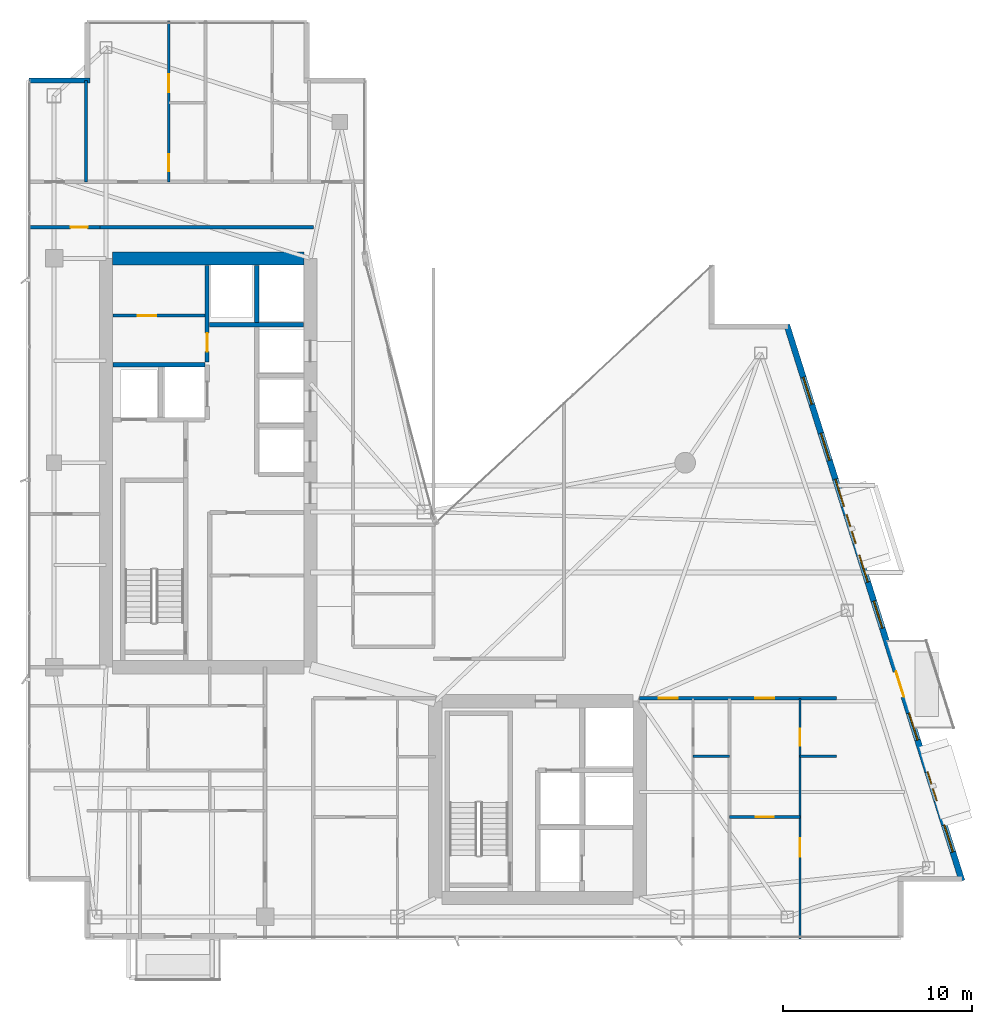
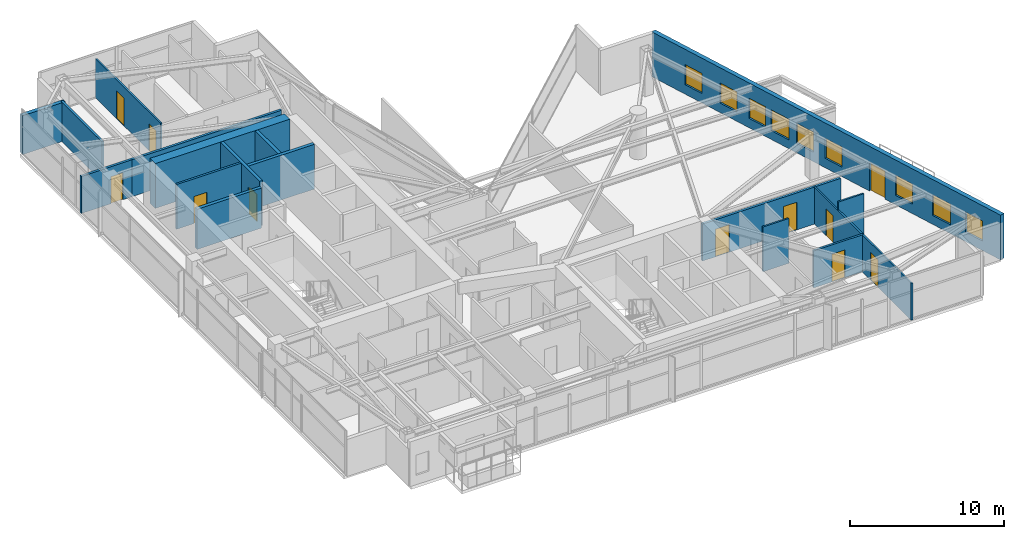
# One storey, part 24 of 27: 17 walls, 11 doors, 9 windows, 20 openings.
"""IFC4 building model written with IfcOpenShell, lengths in metres."""

import ifcopenshell
import ifcopenshell.guid

model = None  # the IFC model being written
_history = None  # IfcOwnerHistory: only IFC2X3 demands one
_inside = {}  # id of a spatial element -> (the spatial element, [elements in it])
_under = {}  # id of a project, library or spatial element -> (it, [spatial elements below it])
_declared = {}  # id of a project -> (the project, [libraries it declares])
_typed = {}  # id of a type object -> (the type object, [elements of that type])
_made_of = {}  # id of a material, layer set ... -> (it, [elements and type objects made of it])


def new_model(schema):
    """Start an empty IFC model of exactly this schema.

    Asked for "IFC4X3", IfcOpenShell would pick the latest addendum, in which some entities
    have other attributes; the version numbers below select the first issue.
    IFC2X3 requires an IfcOwnerHistory on every rooted entity: one is made here for all.
    """
    global model, _history
    if schema == "IFC4X3":
        model = ifcopenshell.file(schema_version=(4, 3, 0, 0))
    else:
        model = ifcopenshell.file(schema=schema)
    _inside.clear()
    _under.clear()
    _declared.clear()
    _typed.clear()
    _made_of.clear()
    _history = None
    if model.schema == "IFC2X3":
        org = make("IfcOrganization", Name="unknown")
        user = make(
            "IfcPersonAndOrganization",
            ThePerson=make("IfcPerson", FamilyName="unknown"),
            TheOrganization=org,
        )
        app = make(
            "IfcApplication",
            ApplicationDeveloper=org,
            Version="unknown",
            ApplicationFullName="unknown",
            ApplicationIdentifier="unknown",
        )
        _history = make(
            "IfcOwnerHistory",
            OwningUser=user,
            OwningApplication=app,
            ChangeAction="ADDED",
            CreationDate=0,
        )
    return model


def make(cls, **values):
    """One entity of the class cls with the attributes given. An attribute that is None is left unset."""
    return model.create_entity(
        cls, **{name: value for name, value in values.items() if value is not None}
    )


def rooted(cls, **values):
    """An entity with a GlobalId (a new one), such as an element, a storey or a relation."""
    return make(cls, GlobalId=ifcopenshell.guid.new(), OwnerHistory=_history, **values)


def si_unit(unit_type, name, prefix=None):
    """IfcSIUnit, for example si_unit("LENGTHUNIT", "METRE", prefix="MILLI")."""
    return make("IfcSIUnit", UnitType=unit_type, Prefix=prefix, Name=name)


def assignment(units):
    """IfcUnitAssignment: the units of a project."""
    return None if units is None else make("IfcUnitAssignment", Units=units)


def point(xyz):
    """IfcCartesianPoint."""
    return None if xyz is None else make("IfcCartesianPoint", Coordinates=xyz)


def direction(xyz):
    """IfcDirection."""
    return None if xyz is None else make("IfcDirection", DirectionRatios=xyz)


def frame(location, z_axis=None, x_axis=None):
    """IfcAxis2Placement3D, a coordinate frame: its origin and axes. An axis left out is left unset."""
    return make(
        "IfcAxis2Placement3D",
        Location=point(location),
        Axis=direction(z_axis),
        RefDirection=direction(x_axis),
    )


def frame_2d(location, x_axis=None):
    """IfcAxis2Placement2D, a coordinate frame in the plane: its origin and x axis."""
    return make(
        "IfcAxis2Placement2D", Location=point(location), RefDirection=direction(x_axis)
    )


def origin():
    """The frame at (0, 0, 0) with its axes left unset."""
    return frame((0.0, 0.0, 0.0))


def place(relative_to, where):
    """IfcLocalPlacement: puts the frame where relative to a parent placement (None: the world)."""
    return make(
        "IfcLocalPlacement", PlacementRelTo=relative_to, RelativePlacement=where
    )


def context(
    kind, dimensions, precision=None, world=None, true_north=None, identifier=None
):
    """IfcGeometricRepresentationContext, for example the 3D "Model" context."""
    return make(
        "IfcGeometricRepresentationContext",
        ContextIdentifier=identifier,
        ContextType=kind,
        CoordinateSpaceDimension=dimensions,
        Precision=precision,
        WorldCoordinateSystem=world,
        TrueNorth=true_north,
    )


def subcontext(parent, identifier, kind, view, scale=None):
    """IfcGeometricRepresentationSubContext, for example "Body" below "Model"."""
    return make(
        "IfcGeometricRepresentationSubContext",
        ContextIdentifier=identifier,
        ContextType=kind,
        ParentContext=parent,
        TargetScale=scale,
        TargetView=view,
    )


def project(units=None, contexts=None):
    """IfcProject with its units and contexts."""
    return rooted(
        "IfcProject",
        Name="project",
        RepresentationContexts=contexts,
        UnitsInContext=assignment(units),
    )


def spatial(cls, under=None, at=None, **own):
    """A site, building, storey or space (cls), placed at a placement, below another one or the project."""
    s = rooted(cls, ObjectPlacement=at, **own)
    if under is not None:
        _under.setdefault(under.id(), (under, []))[1].append(s)
    return s


def profile(cls, at=None, kind="AREA", **sizes):
    """A parametric profile (cls). Its sizes go by their IFC names, for example OverallWidth=200.0."""
    return make(cls, ProfileType=kind, Position=at, **sizes)


def rectangle(**sizes):
    """IfcRectangleProfileDef."""
    return profile("IfcRectangleProfileDef", **sizes)


def extrude(swept, where, along, depth):
    """IfcExtrudedAreaSolid: the profile swept, set in the frame where, extruded along a direction by depth."""
    return make(
        "IfcExtrudedAreaSolid",
        SweptArea=swept,
        Position=where,
        ExtrudedDirection=direction(along),
        Depth=depth,
    )


def shape(context_of_items, identifier, shape_type, items):
    """IfcShapeRepresentation: the items that make up one representation, for example the "Body"."""
    return make(
        "IfcShapeRepresentation",
        ContextOfItems=context_of_items,
        RepresentationIdentifier=identifier,
        RepresentationType=shape_type,
        Items=items,
    )


def material(Name=None, Category=None):
    """IfcMaterial."""
    return make("IfcMaterial", Name=Name, Category=Category)


def layer(
    of_material, thickness, ventilated=None, Name=None, Category=None, Priority=None
):
    """IfcMaterialLayer: one layer of a wall or slab, of a material (None: an air gap)."""
    return make(
        "IfcMaterialLayer",
        Material=of_material,
        LayerThickness=thickness,
        IsVentilated=ventilated,
        Name=Name,
        Category=Category,
        Priority=Priority,
    )


def layer_set(layers, Name=None):
    """IfcMaterialLayerSet."""
    return make("IfcMaterialLayerSet", MaterialLayers=layers, LayerSetName=Name)


def made_of(thing, what):
    """Note that an element or type object is made of a material, layer set ...; save() writes the relation."""
    if what is not None:
        _made_of.setdefault(what.id(), (what, []))[1].append(thing)
    return thing


def type_object(cls, material=None, **own):
    """A type object (cls), such as IfcWallType, which elements share."""
    return made_of(rooted(cls, **own), material)


def element(
    cls,
    number,
    at=None,
    inside=None,
    cuts=None,
    type_object=None,
    material=None,
    context=None,
    identifier="Body",
    shape_type=None,
    held_by="IfcProductDefinitionShape",
    body=None,
    shapes=None,
    **own,
):
    """One element of the class cls, such as IfcWall. Its Tag is "e" and its number.

    at: its placement. inside: the storey or other place that contains it. cuts: it is an
    opening in that element (IfcRelVoidsElement). A single representation is given by context,
    identifier, shape_type and body (its items); several are given by shapes. held_by: the class
    of the entity that holds the representations. save() writes the other relations.
    """
    e = rooted(cls, Tag="e%d" % number, ObjectPlacement=at, **own)
    if body is not None:
        shapes = [shape(context, identifier, shape_type, body)]
    if shapes is not None:
        e.Representation = make(held_by, Representations=shapes)
    if inside is not None:
        _inside.setdefault(inside.id(), (inside, []))[1].append(e)
    if cuts is not None:
        rooted(
            "IfcRelVoidsElement", RelatingBuildingElement=cuts, RelatedOpeningElement=e
        )
    if type_object is not None:
        _typed.setdefault(type_object.id(), (type_object, []))[1].append(e)
    return made_of(e, material)


def fill(opening, filler):
    """IfcRelFillsElement: the door or window that sits in an opening."""
    return rooted(
        "IfcRelFillsElement",
        RelatingOpeningElement=opening,
        RelatedBuildingElement=filler,
    )


def aggregate(whole, parts):
    """IfcRelAggregates: a whole, such as a stair, and the parts it consists of."""
    return rooted("IfcRelAggregates", RelatingObject=whole, RelatedObjects=parts)


def save(model, path):
    """Write the relations noted so far, then the file.

    IfcRelAggregates (storeys below a building ...), IfcRelContainedInSpatialStructure (elements
    in a storey), IfcRelDefinesByType, IfcRelAssociatesMaterial and IfcRelDeclares: one each for
    every whole, place, type object, material and project.
    """
    for whole, parts in _under.values():
        aggregate(whole, parts)
    for where, things in _inside.values():
        rooted(
            "IfcRelContainedInSpatialStructure",
            RelatedElements=things,
            RelatingStructure=where,
        )
    for kind, things in _typed.values():
        rooted("IfcRelDefinesByType", RelatedObjects=things, RelatingType=kind)
    for what, things in _made_of.values():
        rooted("IfcRelAssociatesMaterial", RelatedObjects=things, RelatingMaterial=what)
    for by, libraries in _declared.values():
        rooted("IfcRelDeclares", RelatingContext=by, RelatedDefinitions=libraries)
    model.write(path)


model = new_model("IFC4")

# Units and contexts
model_context = context("Model", 3, precision=1e-05, world=origin(), true_north=direction((0.0, 1.0)))
body_context = subcontext(model_context, "Body", "Model", "MODEL_VIEW")
ifc_project = project(units=[si_unit("LENGTHUNIT", "METRE"), si_unit("AREAUNIT", "SQUARE_METRE"), si_unit("VOLUMEUNIT", "CUBIC_METRE"), si_unit("PLANEANGLEUNIT", "RADIAN"), si_unit("MASSUNIT", "GRAM", prefix="KILO")], contexts=[model_context])

# Site, building, storey
site_placement = place(None, origin())
site = spatial("IfcSite", under=ifc_project, at=site_placement, CompositionType="ELEMENT")
building_placement = place(site_placement, origin())
building = spatial("IfcBuilding", under=site, at=building_placement, Name="Calvorn Quay Hotel", CompositionType="ELEMENT")
storey_placement = place(building_placement, frame((0.0, 0.0, 226.89990234375)))
storey = spatial("IfcBuildingStorey", under=building, at=storey_placement, Name="L56", CompositionType="ELEMENT", Elevation=226.89990234375)

# Wall
ifc_material_1 = material(Name="Concrete C45", Category="concrete")
ifc_layer_1 = layer(ifc_material_1, 0.699951171875)
ifc_layer_set_1 = layer_set([ifc_layer_1], Name="WL-CORE-700")
wall_type_1 = type_object("IfcWallType", Name="WL-CORE-700", PredefinedType="SHEAR", material=ifc_layer_set_1)
wall_1_placement = place(storey_placement, frame((4.550048828125, 38.39990234375, 0.0), z_axis=(0.0, 0.0, 1.0), x_axis=(1.0, 0.0, 0.0)))
element("IfcWall", 1, at=wall_1_placement, inside=storey, type_object=wall_type_1, Name="West Core Shear Wall N (L56)", PredefinedType="SHEAR", context=body_context, shape_type="SweptSolid", body=[
    extrude(rectangle(XDim=10.099853515625, YDim=0.699951171875, at=frame_2d((5.0498046875, 0.0))), origin(), (0.0, 0.0, 1.0), 3.56005859375),
])

# Wall, opening, door
ifc_material_2 = material(Name="Acoustic Fireboard Steel-Stud Partition", Category="steel")
ifc_layer_2 = layer(ifc_material_2, 0.179931640625)
ifc_layer_set_2 = layer_set([ifc_layer_2], Name="WL-CORR-FIRE-180")
wall_type_2 = type_object("IfcWallType", Name="WL-CORR-FIRE-180", PredefinedType="PARTITIONING", material=ifc_layer_set_2)
wall_2_placement = place(storey_placement, frame((0.080078125, 40.050048828125, 0.0), z_axis=(0.0, 0.0, 1.0), x_axis=(1.0, 0.0, 0.0)))
wall_2 = element("IfcWall", 2, at=wall_2_placement, inside=storey, type_object=wall_type_2, Name="Partition Wall L56-WL-WBAY-N-DOOR", PredefinedType="PARTITIONING", context=body_context, shape_type="SweptSolid", body=[
    extrude(rectangle(XDim=3.7998046875, YDim=0.179931640625, at=frame_2d((1.89990234375, 0.0))), origin(), (0.0, 0.0, 1.0), 2.940185546875),
])
opening_1_placement = place(wall_2_placement, frame((2.25, 0.0, 0.0)))
opening_1 = element("IfcOpeningElement", 3, at=opening_1_placement, cuts=wall_2, Name="Opening D-L56-WBN", PredefinedType="OPENING", context=body_context, shape_type="SweptSolid", body=[
    extrude(rectangle(XDim=0.89990234375, YDim=2.14990234375, at=frame_2d((0.449951171875, 1.074951171875))), frame((0.0, 0.099853515625, 0.0), z_axis=(0.0, -1.0, 0.0), x_axis=(1.0, 0.0, 0.0)), (0.0, 0.0, 1.0), 0.199951171875),
])
ifc_material_3 = material(Name="Moisture-Sealed Timber En-Suite Door", Category="wood")
door_type_1 = type_object("IfcDoorType", Name="DR-ENSUITE-900", OperationType="NOTDEFINED", PredefinedType="DOOR", material=ifc_material_3)
door_1_placement = place(opening_1_placement, origin())
door_1 = element("IfcDoor", 4, at=door_1_placement, inside=storey, type_object=door_type_1, Name="West North Bay Door (L56)", OperationType="SINGLE_SWING_LEFT", OverallHeight=2.14990234375, OverallWidth=0.89990234375, PredefinedType="DOOR", context=body_context, shape_type="SweptSolid", body=[
    extrude(rectangle(XDim=0.89990234375, YDim=2.14990234375, at=frame_2d((0.449951171875, 1.074951171875))), frame((0.0, 0.02490234375, 0.0), z_axis=(0.0, -1.0, 0.0), x_axis=(1.0, 0.0, 0.0)), (0.0, 0.0, 1.0), 0.050048828125),
])
fill(opening_1, door_1)

# Wall
wall_3_placement = place(storey_placement, frame((3.830078125, 40.050048828125, 0.0), z_axis=(0.0, 0.0, 1.0), x_axis=(1.0, 0.0, 0.0)))
element("IfcWall", 5, at=wall_3_placement, inside=storey, type_object=wall_type_2, Name="Partition Wall L56-WL-W-SPUR-S", PredefinedType="PARTITIONING", context=body_context, shape_type="SweptSolid", body=[
    extrude(rectangle(XDim=11.31982421875, YDim=0.179931640625, at=frame_2d((5.659912109375, 0.0))), origin(), (0.0, 0.0, 1.0), 2.940185546875),
])

# Wall, openings, doors
wall_4_placement = place(storey_placement, frame((32.39990234375, 15.14990234375, 0.0), z_axis=(0.0, 0.0, 1.0), x_axis=(1.0, 0.0, 0.0)))
wall_4 = element("IfcWall", 6, at=wall_4_placement, inside=storey, type_object=wall_type_2, Name="Partition Wall L56-WL-CORR-SE-S", PredefinedType="PARTITIONING", context=body_context, shape_type="SweptSolid", body=[
    extrude(rectangle(XDim=10.400146484375, YDim=0.179931640625, at=frame_2d((5.2001953125, 0.0))), origin(), (0.0, 0.0, 1.0), 2.940185546875),
])
opening_2_placement = place(wall_4_placement, frame((1.0, 0.0, 0.0)))
opening_2 = element("IfcOpeningElement", 7, at=opening_2_placement, cuts=wall_4, Name="Opening D-L56-U06", PredefinedType="OPENING", context=body_context, shape_type="SweptSolid", body=[
    extrude(rectangle(XDim=1.02001953125, YDim=2.199951171875, at=frame_2d((0.510009765625, 1.10009765625))), frame((0.0, 0.099853515625, 0.0), z_axis=(0.0, -1.0, 0.0), x_axis=(1.0, 0.0, 0.0)), (0.0, 0.0, 1.0), 0.199951171875),
])
opening_3_placement = place(wall_4_placement, frame((6.10009765625, 0.0, 0.0)))
opening_3 = element("IfcOpeningElement", 8, at=opening_3_placement, cuts=wall_4, Name="Opening D-L56-U07", PredefinedType="OPENING", context=body_context, shape_type="SweptSolid", body=[
    extrude(rectangle(XDim=1.02001953125, YDim=2.199951171875, at=frame_2d((0.510009765625, 1.10009765625))), frame((0.0, 0.099853515625, 0.0), z_axis=(0.0, -1.0, 0.0), x_axis=(1.0, 0.0, 0.0)), (0.0, 0.0, 1.0), 0.199951171875),
])
ifc_material_4 = material(Name="Solid-Core Walnut Veneer Hotel Fire Door")
door_type_2 = type_object("IfcDoorType", Name="DR-GUEST-ENTRY-1020", OperationType="NOTDEFINED", PredefinedType="DOOR", material=ifc_material_4)
door_2_placement = place(opening_2_placement, origin())
door_2 = element("IfcDoor", 9, at=door_2_placement, inside=storey, type_object=door_type_2, Name="South-East Unit Door U06 (L56)", OperationType="SINGLE_SWING_LEFT", OverallHeight=2.199951171875, OverallWidth=1.02001953125, PredefinedType="DOOR", context=body_context, shape_type="SweptSolid", body=[
    extrude(rectangle(XDim=1.02001953125, YDim=2.199951171875, at=frame_2d((0.510009765625, 1.10009765625))), frame((0.0, 0.02490234375, 0.0), z_axis=(0.0, -1.0, 0.0), x_axis=(1.0, 0.0, 0.0)), (0.0, 0.0, 1.0), 0.050048828125),
])
fill(opening_2, door_2)
door_3_placement = place(opening_3_placement, origin())
door_3 = element("IfcDoor", 10, at=door_3_placement, inside=storey, type_object=door_type_2, Name="South-East Unit Door U07 (L56)", OperationType="SINGLE_SWING_RIGHT", OverallHeight=2.199951171875, OverallWidth=1.02001953125, PredefinedType="DOOR", context=body_context, shape_type="SweptSolid", body=[
    extrude(rectangle(XDim=1.02001953125, YDim=2.199951171875, at=frame_2d((0.510009765625, 1.10009765625))), frame((0.0, 0.02490234375, 0.0), z_axis=(0.0, -1.0, 0.0), x_axis=(1.0, 0.0, 0.0)), (0.0, 0.0, 1.0), 0.050048828125),
])
fill(opening_3, door_3)

ifc_material_5 = material(Name="Moisture-Resistant Tile-Backed Partition")
ifc_layer_3 = layer(ifc_material_5, 0.125)
ifc_layer_set_3 = layer_set([ifc_layer_3], Name="WL-ENSUITE-125")
wall_type_3 = type_object("IfcWallType", Name="WL-ENSUITE-125", PredefinedType="PARTITIONING", material=ifc_layer_set_3)
wall_5_placement = place(storey_placement, frame((7.52001953125, 42.449951171875, 0.0), z_axis=(0.0, 0.0, 1.0), x_axis=(0.0, 1.0, 0.0)))
wall_5 = element("IfcWall", 11, at=wall_5_placement, inside=storey, type_object=wall_type_3, Name="Partition Wall L56-WL-U04-BV", PredefinedType="PARTITIONING", context=body_context, shape_type="SweptSolid", body=[
    extrude(rectangle(XDim=8.489990234375, YDim=0.125, at=frame_2d((4.2451171875, 0.0))), origin(), (0.0, 0.0, 1.0), 3.090087890625),
])
opening_4_placement = place(wall_5_placement, frame((0.550048828125, 0.0, 0.0)))
opening_4 = element("IfcOpeningElement", 12, at=opening_4_placement, cuts=wall_5, Name="Opening D-L56-E04", PredefinedType="OPENING", context=body_context, shape_type="SweptSolid", body=[
    extrude(rectangle(XDim=0.89990234375, YDim=2.14990234375, at=frame_2d((0.449951171875, 1.074951171875))), frame((0.0, 0.072509765625, 0.0), z_axis=(0.0, -1.0, 0.0), x_axis=(1.0, 0.0, 0.0)), (0.0, 0.0, 1.0), 0.14501953125),
])
opening_5_placement = place(wall_5_placement, frame((4.719970703125, 0.0, 0.0)))
opening_5 = element("IfcOpeningElement", 13, at=opening_5_placement, cuts=wall_5, Name="Opening D-L56-S04", PredefinedType="OPENING", context=body_context, shape_type="SweptSolid", body=[
    extrude(rectangle(XDim=0.9599609375, YDim=2.199951171875, at=frame_2d((0.47998046875, 1.10009765625))), frame((0.0, 0.072509765625, 0.0), z_axis=(0.0, -1.0, 0.0), x_axis=(1.0, 0.0, 0.0)), (0.0, 0.0, 1.0), 0.14501953125),
])
door_4_placement = place(opening_4_placement, origin())
door_4 = element("IfcDoor", 14, at=door_4_placement, inside=storey, type_object=door_type_1, Name="En-Suite Door 04", OperationType="SINGLE_SWING_LEFT", OverallHeight=2.14990234375, OverallWidth=0.89990234375, PredefinedType="DOOR", context=body_context, shape_type="SweptSolid", body=[
    extrude(rectangle(XDim=0.89990234375, YDim=2.14990234375, at=frame_2d((0.449951171875, 1.074951171875))), frame((0.0, 0.02490234375, 0.0), z_axis=(0.0, -1.0, 0.0), x_axis=(1.0, 0.0, 0.0)), (0.0, 0.0, 1.0), 0.050048828125),
])
fill(opening_4, door_4)
ifc_material_6 = material(Name="Solid Timber Internal Suite Door", Category="wood")
door_type_3 = type_object("IfcDoorType", Name="DR-SUITE-INT-960", OperationType="NOTDEFINED", PredefinedType="DOOR", material=ifc_material_6)
door_5_placement = place(opening_5_placement, origin())
door_5 = element("IfcDoor", 15, at=door_5_placement, inside=storey, type_object=door_type_3, Name="Private Executive Study Door 04", OperationType="SINGLE_SWING_RIGHT", OverallHeight=2.199951171875, OverallWidth=0.9599609375, PredefinedType="DOOR", context=body_context, shape_type="SweptSolid", body=[
    extrude(rectangle(XDim=0.9599609375, YDim=2.199951171875, at=frame_2d((0.47998046875, 1.10009765625))), frame((0.0, 0.02490234375, 0.0), z_axis=(0.0, -1.0, 0.0), x_axis=(1.0, 0.0, 0.0)), (0.0, 0.0, 1.0), 0.050048828125),
])
fill(opening_5, door_5)

# Walls
for number, where, z_axis, x_axis, name in (
    (16, (35.219970703125, 12.10009765625, 0.0), (0.0, 0.0, 1.0), (1.0, 0.0, 0.0), "Partition Wall L56-WL-U06-BDV"),
    (17, (40.8701171875, 12.10009765625, 0.0), (0.0, 0.0, 1.0), (1.0, 0.0, 0.0), "Partition Wall L56-WL-U07-BDV"),
):
    element("IfcWall", number, at=place(storey_placement, frame(where, z_axis=z_axis, x_axis=x_axis)), inside=storey, type_object=wall_type_3, Name=name, PredefinedType="PARTITIONING", context=body_context, shape_type="SweptSolid", body=[
        extrude(rectangle(XDim=1.929931640625, YDim=0.125, at=frame_2d((0.96484375, 0.0))), origin(), (0.0, 0.0, 1.0), 3.56005859375),
    ])

# Wall, openings, doors
wall_6_placement = place(storey_placement, frame((40.8701171875, 2.43994140625, 0.0), z_axis=(0.0, 0.0, 1.0), x_axis=(0.0, 1.0, 0.0)))
wall_6 = element("IfcWall", 18, at=wall_6_placement, inside=storey, type_object=wall_type_3, Name="Partition Wall L56-WL-U07-BV", PredefinedType="PARTITIONING", context=body_context, shape_type="SweptSolid", body=[
    extrude(rectangle(XDim=12.7099609375, YDim=0.125, at=frame_2d((6.35498046875, 0.0))), origin(), (0.0, 0.0, 1.0), 2.940185546875),
])
opening_6_placement = place(wall_6_placement, frame((4.35009765625, 0.0, 0.0)))
opening_6 = element("IfcOpeningElement", 19, at=opening_6_placement, cuts=wall_6, Name="Opening D-L56-S07", PredefinedType="OPENING", context=body_context, shape_type="SweptSolid", body=[
    extrude(rectangle(XDim=0.9599609375, YDim=2.199951171875, at=frame_2d((0.47998046875, 1.10009765625))), frame((0.0, 0.072509765625, 0.0), z_axis=(0.0, -1.0, 0.0), x_axis=(1.0, 0.0, 0.0)), (0.0, 0.0, 1.0), 0.14501953125),
])
opening_7_placement = place(wall_6_placement, frame((10.2099609375, 0.0, 0.0)))
opening_7 = element("IfcOpeningElement", 20, at=opening_7_placement, cuts=wall_6, Name="Opening D-L56-E07", PredefinedType="OPENING", context=body_context, shape_type="SweptSolid", body=[
    extrude(rectangle(XDim=0.89990234375, YDim=2.14990234375, at=frame_2d((0.449951171875, 1.074951171875))), frame((0.0, 0.072509765625, 0.0), z_axis=(0.0, -1.0, 0.0), x_axis=(1.0, 0.0, 0.0)), (0.0, 0.0, 1.0), 0.14501953125),
])
door_6_placement = place(opening_7_placement, origin())
door_6 = element("IfcDoor", 21, at=door_6_placement, inside=storey, type_object=door_type_1, Name="En-Suite Door 07", OperationType="SINGLE_SWING_RIGHT", OverallHeight=2.14990234375, OverallWidth=0.89990234375, PredefinedType="DOOR", context=body_context, shape_type="SweptSolid", body=[
    extrude(rectangle(XDim=0.89990234375, YDim=2.14990234375, at=frame_2d((0.449951171875, 1.074951171875))), frame((0.0, 0.02490234375, 0.0), z_axis=(0.0, -1.0, 0.0), x_axis=(1.0, 0.0, 0.0)), (0.0, 0.0, 1.0), 0.050048828125),
])
fill(opening_7, door_6)
door_7_placement = place(opening_6_placement, origin())
door_7 = element("IfcDoor", 22, at=door_7_placement, inside=storey, type_object=door_type_3, Name="Private Executive Study Door 07", OperationType="SINGLE_SWING_LEFT", OverallHeight=2.199951171875, OverallWidth=0.9599609375, PredefinedType="DOOR", context=body_context, shape_type="SweptSolid", body=[
    extrude(rectangle(XDim=0.9599609375, YDim=2.199951171875, at=frame_2d((0.47998046875, 1.10009765625))), frame((0.0, 0.02490234375, 0.0), z_axis=(0.0, -1.0, 0.0), x_axis=(1.0, 0.0, 0.0)), (0.0, 0.0, 1.0), 0.050048828125),
])
fill(opening_6, door_7)

# Wall
ifc_material_7 = material(Name="Concrete C40", Category="concrete")
ifc_layer_4 = layer(ifc_material_7, 0.320068359375)
ifc_layer_set_4 = layer_set([ifc_layer_4], Name="WL-EXT-SPANDREL-320")
wall_type_4 = type_object("IfcWallType", Name="WL-EXT-SPANDREL-320", PredefinedType="SOLIDWALL", material=ifc_layer_set_4)
wall_7_placement = place(storey_placement, frame((3.340087890625, 47.800048828125, 0.0), z_axis=(0.0, 0.0, 1.0), x_axis=(-1.0, 0.0, 0.0)))
element("IfcWall", 23, at=wall_7_placement, inside=storey, type_object=wall_type_4, Name="Notched Corner Spandrel L56-NW2", PredefinedType="SOLIDWALL", context=body_context, shape_type="SweptSolid", body=[
    extrude(rectangle(XDim=3.219970703125, YDim=0.280029296875, at=frame_2d((1.60986328125, 0.0))), origin(), (0.0, 0.0, 1.0), 3.090087890625),
])

# Wall, openings, door, windows
wall_8_placement = place(storey_placement, frame((49.429931640625, 5.5048828125, 0.0), z_axis=(0.0, 0.0, 1.0), x_axis=(-0.300509063924, 0.953778958931, 0.0)))
wall_8 = element("IfcWall", 24, at=wall_8_placement, inside=storey, type_object=wall_type_4, Name="East Stepped Waterfront Exterior Wall (L56)", PredefinedType="SOLIDWALL", context=body_context, shape_type="SweptSolid", body=[
    extrude(rectangle(XDim=30.814453125, YDim=0.320068359375, at=frame_2d((15.4072265625, 0.0))), origin(), (0.0, 0.0, 1.0), 3.56005859375),
])
opening_8_placement = place(wall_8_placement, frame((10.198974609375, 0.0, 0.0)))
opening_8 = element("IfcOpeningElement", 25, at=opening_8_placement, cuts=wall_8, Name="Opening DB-L56-1", PredefinedType="OPENING", context=body_context, shape_type="SweptSolid", body=[
    extrude(rectangle(XDim=1.39990234375, YDim=2.25, at=frame_2d((0.699951171875, 1.125))), frame((0.0, 0.169921875, 0.0), z_axis=(0.0, -1.0, 0.0), x_axis=(1.0, 0.0, 0.0)), (0.0, 0.0, 1.0), 0.340087890625),
])
opening_9_placement = place(wall_8_placement, frame((4.43701171875, 0.0, 0.699951171875)))
opening_9 = element("IfcOpeningElement", 26, at=opening_9_placement, cuts=wall_8, Name="Opening WHD-L56-1", PredefinedType="OPENING", context=body_context, shape_type="SweptSolid", body=[
    extrude(rectangle(XDim=1.60009765625, YDim=1.64990234375, at=frame_2d((0.800048828125, 0.824951171875))), frame((0.0, 0.169921875, 0.0), z_axis=(0.0, -1.0, 0.0), x_axis=(1.0, 0.0, 0.0)), (0.0, 0.0, 1.0), 0.340087890625),
])
opening_10_placement = place(wall_8_placement, frame((18.696044921875, 0.0, 0.699951171875)))
opening_10 = element("IfcOpeningElement", 27, at=opening_10_placement, cuts=wall_8, Name="Opening WHD-L56-2", PredefinedType="OPENING", context=body_context, shape_type="SweptSolid", body=[
    extrude(rectangle(XDim=1.60009765625, YDim=1.64990234375, at=frame_2d((0.800048828125, 0.824951171875))), frame((0.0, 0.169921875, 0.0), z_axis=(0.0, -1.0, 0.0), x_axis=(1.0, 0.0, 0.0)), (0.0, 0.0, 1.0), 0.340087890625),
])
opening_11_placement = place(wall_8_placement, frame((1.60009765625, 0.0, 0.75)))
opening_11 = element("IfcOpeningElement", 28, at=opening_11_placement, cuts=wall_8, Name="Opening WG-L56-E1", PredefinedType="OPENING", context=body_context, shape_type="SweptSolid", body=[
    extrude(rectangle(XDim=1.5, YDim=1.60009765625, at=frame_2d((0.75, 0.800048828125))), frame((0.0, 0.169921875, 0.0), z_axis=(0.0, -1.0, 0.0), x_axis=(1.0, 0.0, 0.0)), (0.0, 0.0, 1.0), 0.340087890625),
])
opening_12_placement = place(wall_8_placement, frame((7.800048828125, 0.0, 0.75)))
opening_12 = element("IfcOpeningElement", 29, at=opening_12_placement, cuts=wall_8, Name="Opening WG-L56-E2", PredefinedType="OPENING", context=body_context, shape_type="SweptSolid", body=[
    extrude(rectangle(XDim=1.5, YDim=1.60009765625, at=frame_2d((0.75, 0.800048828125))), frame((0.0, 0.169921875, 0.0), z_axis=(0.0, -1.0, 0.0), x_axis=(1.0, 0.0, 0.0)), (0.0, 0.0, 1.0), 0.340087890625),
])
opening_13_placement = place(wall_8_placement, frame((14.0, 0.0, 0.75)))
opening_13 = element("IfcOpeningElement", 30, at=opening_13_placement, cuts=wall_8, Name="Opening WG-L56-E3", PredefinedType="OPENING", context=body_context, shape_type="SweptSolid", body=[
    extrude(rectangle(XDim=1.5, YDim=1.60009765625, at=frame_2d((0.75, 0.800048828125))), frame((0.0, 0.169921875, 0.0), z_axis=(0.0, -1.0, 0.0), x_axis=(1.0, 0.0, 0.0)), (0.0, 0.0, 1.0), 0.340087890625),
])
opening_14_placement = place(wall_8_placement, frame((16.550048828125, 0.0, 0.75)))
opening_14 = element("IfcOpeningElement", 31, at=opening_14_placement, cuts=wall_8, Name="Opening WG-L56-E4", PredefinedType="OPENING", context=body_context, shape_type="SweptSolid", body=[
    extrude(rectangle(XDim=1.5, YDim=1.60009765625, at=frame_2d((0.75, 0.800048828125))), frame((0.0, 0.169921875, 0.0), z_axis=(0.0, -1.0, 0.0), x_axis=(1.0, 0.0, 0.0)), (0.0, 0.0, 1.0), 0.340087890625),
])
opening_15_placement = place(wall_8_placement, frame((20.75, 0.0, 0.75)))
opening_15 = element("IfcOpeningElement", 32, at=opening_15_placement, cuts=wall_8, Name="Opening WG-L56-E5", PredefinedType="OPENING", context=body_context, shape_type="SweptSolid", body=[
    extrude(rectangle(XDim=1.5, YDim=1.60009765625, at=frame_2d((0.75, 0.800048828125))), frame((0.0, 0.169921875, 0.0), z_axis=(0.0, -1.0, 0.0), x_axis=(1.0, 0.0, 0.0)), (0.0, 0.0, 1.0), 0.340087890625),
])
opening_16_placement = place(wall_8_placement, frame((23.300048828125, 0.0, 0.75)))
opening_16 = element("IfcOpeningElement", 33, at=opening_16_placement, cuts=wall_8, Name="Opening WG-L56-E6", PredefinedType="OPENING", context=body_context, shape_type="SweptSolid", body=[
    extrude(rectangle(XDim=1.5, YDim=1.60009765625, at=frame_2d((0.75, 0.800048828125))), frame((0.0, 0.169921875, 0.0), z_axis=(0.0, -1.0, 0.0), x_axis=(1.0, 0.0, 0.0)), (0.0, 0.0, 1.0), 0.340087890625),
])
opening_17_placement = place(wall_8_placement, frame((26.39990234375, 0.0, 0.75)))
opening_17 = element("IfcOpeningElement", 34, at=opening_17_placement, cuts=wall_8, Name="Opening WG-L56-E7", PredefinedType="OPENING", context=body_context, shape_type="SweptSolid", body=[
    extrude(rectangle(XDim=1.5, YDim=1.60009765625, at=frame_2d((0.75, 0.800048828125))), frame((0.0, 0.169921875, 0.0), z_axis=(0.0, -1.0, 0.0), x_axis=(1.0, 0.0, 0.0)), (0.0, 0.0, 1.0), 0.340087890625),
])
ifc_material_8 = material(Name="Typhoon-Rated Low-E Aluminium Terrace Door", Category="aluminium")
door_type_4 = type_object("IfcDoorType", Name="DR-BALCONY-GLZ-1400", OperationType="NOTDEFINED", PredefinedType="DOOR", material=ifc_material_8)
door_8_placement = place(opening_8_placement, origin())
door_8 = element("IfcDoor", 35, at=door_8_placement, inside=storey, type_object=door_type_4, Name="Tree Balcony Terrace Door L56-BALC-E", OperationType="SINGLE_SWING_LEFT", OverallHeight=2.25, OverallWidth=1.39990234375, PredefinedType="DOOR", context=body_context, shape_type="SweptSolid", body=[
    extrude(rectangle(XDim=1.39990234375, YDim=2.25, at=frame_2d((0.699951171875, 1.125))), frame((0.0, 0.02490234375, 0.0), z_axis=(0.0, -1.0, 0.0), x_axis=(1.0, 0.0, 0.0)), (0.0, 0.0, 1.0), 0.050048828125),
])
fill(opening_8, door_8)
ifc_material_9 = material(Name="Champagne-Bronze Aluminium Low-E Window", Category="aluminium")
window_type_1 = type_object("IfcWindowType", Name="WIN-GUEST-SIDE-1600x2100", PartitioningType="SINGLE_PANEL", PredefinedType="WINDOW", material=ifc_material_9)
window_1_placement = place(opening_9_placement, origin())
window_1 = element("IfcWindow", 36, at=window_1_placement, inside=storey, type_object=window_type_1, Name="Bay Hood Window L56-HOOD-1", OverallHeight=1.64990234375, OverallWidth=1.60009765625, PartitioningType="SINGLE_PANEL", PredefinedType="WINDOW", context=body_context, shape_type="SweptSolid", body=[
    extrude(rectangle(XDim=1.60009765625, YDim=1.64990234375, at=frame_2d((0.800048828125, 0.824951171875))), frame((0.0, 0.030029296875, 0.0), z_axis=(0.0, -1.0, 0.0), x_axis=(1.0, 0.0, 0.0)), (0.0, 0.0, 1.0), 0.06005859375),
])
fill(opening_9, window_1)
window_2_placement = place(opening_10_placement, origin())
window_2 = element("IfcWindow", 37, at=window_2_placement, inside=storey, type_object=window_type_1, Name="Bay Hood Window L56-HOOD-3", OverallHeight=1.64990234375, OverallWidth=1.60009765625, PartitioningType="SINGLE_PANEL", PredefinedType="WINDOW", context=body_context, shape_type="SweptSolid", body=[
    extrude(rectangle(XDim=1.60009765625, YDim=1.64990234375, at=frame_2d((0.800048828125, 0.824951171875))), frame((0.0, 0.030029296875, 0.0), z_axis=(0.0, -1.0, 0.0), x_axis=(1.0, 0.0, 0.0)), (0.0, 0.0, 1.0), 0.06005859375),
])
fill(opening_10, window_2)
ifc_material_10 = material(Name="Self-Closing Class B Fire Window")
window_type_2 = type_object("IfcWindowType", Name="WIN-REFUGE-1500x1600", PartitioningType="SINGLE_PANEL", PredefinedType="WINDOW", material=ifc_material_10)
window_3_placement = place(opening_11_placement, origin())
window_3 = element("IfcWindow", 38, at=window_3_placement, inside=storey, type_object=window_type_2, Name="East Facade Window L56-E1", OverallHeight=1.60009765625, OverallWidth=1.5, PartitioningType="SINGLE_PANEL", PredefinedType="WINDOW", context=body_context, shape_type="SweptSolid", body=[
    extrude(rectangle(XDim=1.5, YDim=1.60009765625, at=frame_2d((0.75, 0.800048828125))), frame((0.0, 0.030029296875, 0.0), z_axis=(0.0, -1.0, 0.0), x_axis=(1.0, 0.0, 0.0)), (0.0, 0.0, 1.0), 0.06005859375),
])
fill(opening_11, window_3)
window_4_placement = place(opening_12_placement, origin())
window_4 = element("IfcWindow", 39, at=window_4_placement, inside=storey, type_object=window_type_2, Name="East Facade Window L56-E2", OverallHeight=1.60009765625, OverallWidth=1.5, PartitioningType="SINGLE_PANEL", PredefinedType="WINDOW", context=body_context, shape_type="SweptSolid", body=[
    extrude(rectangle(XDim=1.5, YDim=1.60009765625, at=frame_2d((0.75, 0.800048828125))), frame((0.0, 0.030029296875, 0.0), z_axis=(0.0, -1.0, 0.0), x_axis=(1.0, 0.0, 0.0)), (0.0, 0.0, 1.0), 0.06005859375),
])
fill(opening_12, window_4)
window_5_placement = place(opening_13_placement, origin())
window_5 = element("IfcWindow", 40, at=window_5_placement, inside=storey, type_object=window_type_2, Name="East Facade Window L56-E3", OverallHeight=1.60009765625, OverallWidth=1.5, PartitioningType="SINGLE_PANEL", PredefinedType="WINDOW", context=body_context, shape_type="SweptSolid", body=[
    extrude(rectangle(XDim=1.5, YDim=1.60009765625, at=frame_2d((0.75, 0.800048828125))), frame((0.0, 0.030029296875, 0.0), z_axis=(0.0, -1.0, 0.0), x_axis=(1.0, 0.0, 0.0)), (0.0, 0.0, 1.0), 0.06005859375),
])
fill(opening_13, window_5)
window_6_placement = place(opening_14_placement, origin())
window_6 = element("IfcWindow", 41, at=window_6_placement, inside=storey, type_object=window_type_2, Name="East Facade Window L56-E4", OverallHeight=1.60009765625, OverallWidth=1.5, PartitioningType="SINGLE_PANEL", PredefinedType="WINDOW", context=body_context, shape_type="SweptSolid", body=[
    extrude(rectangle(XDim=1.5, YDim=1.60009765625, at=frame_2d((0.75, 0.800048828125))), frame((0.0, 0.030029296875, 0.0), z_axis=(0.0, -1.0, 0.0), x_axis=(1.0, 0.0, 0.0)), (0.0, 0.0, 1.0), 0.06005859375),
])
fill(opening_14, window_6)
window_7_placement = place(opening_15_placement, origin())
window_7 = element("IfcWindow", 42, at=window_7_placement, inside=storey, type_object=window_type_2, Name="East Facade Window L56-E5", OverallHeight=1.60009765625, OverallWidth=1.5, PartitioningType="SINGLE_PANEL", PredefinedType="WINDOW", context=body_context, shape_type="SweptSolid", body=[
    extrude(rectangle(XDim=1.5, YDim=1.60009765625, at=frame_2d((0.75, 0.800048828125))), frame((0.0, 0.030029296875, 0.0), z_axis=(0.0, -1.0, 0.0), x_axis=(1.0, 0.0, 0.0)), (0.0, 0.0, 1.0), 0.06005859375),
])
fill(opening_15, window_7)
window_8_placement = place(opening_16_placement, origin())
window_8 = element("IfcWindow", 43, at=window_8_placement, inside=storey, type_object=window_type_2, Name="East Facade Window L56-E6", OverallHeight=1.60009765625, OverallWidth=1.5, PartitioningType="SINGLE_PANEL", PredefinedType="WINDOW", context=body_context, shape_type="SweptSolid", body=[
    extrude(rectangle(XDim=1.5, YDim=1.60009765625, at=frame_2d((0.75, 0.800048828125))), frame((0.0, 0.030029296875, 0.0), z_axis=(0.0, -1.0, 0.0), x_axis=(1.0, 0.0, 0.0)), (0.0, 0.0, 1.0), 0.06005859375),
])
fill(opening_16, window_8)
window_9_placement = place(opening_17_placement, origin())
window_9 = element("IfcWindow", 44, at=window_9_placement, inside=storey, type_object=window_type_2, Name="East Facade Window L56-E7", OverallHeight=1.60009765625, OverallWidth=1.5, PartitioningType="SINGLE_PANEL", PredefinedType="WINDOW", context=body_context, shape_type="SweptSolid", body=[
    extrude(rectangle(XDim=1.5, YDim=1.60009765625, at=frame_2d((0.75, 0.800048828125))), frame((0.0, 0.030029296875, 0.0), z_axis=(0.0, -1.0, 0.0), x_axis=(1.0, 0.0, 0.0)), (0.0, 0.0, 1.0), 0.06005859375),
])
fill(opening_17, window_9)

# Wall, opening, door
ifc_material_11 = material(Name="Double-Stud Acoustic Gypsum Partition")
ifc_layer_5 = layer(ifc_material_11, 0.159912109375)
ifc_layer_set_5 = layer_set([ifc_layer_5], Name="WL-INTERSUITE-160")
wall_type_5 = type_object("IfcWallType", Name="WL-INTERSUITE-160", PredefinedType="PARTITIONING", material=ifc_layer_set_5)
wall_9_placement = place(storey_placement, frame((4.570068359375, 35.3798828125, 0.0), z_axis=(0.0, 0.0, 1.0), x_axis=(1.0, 0.0, 0.0)))
wall_9 = element("IfcWall", 45, at=wall_9_placement, inside=storey, type_object=wall_type_5, Name="Partition Wall L56-WL-CWW-K-MID", PredefinedType="PARTITIONING", context=body_context, shape_type="SweptSolid", body=[
    extrude(rectangle(XDim=4.849853515625, YDim=0.159912109375, at=frame_2d((2.4248046875, 0.0))), origin(), (0.0, 0.0, 1.0), 3.56005859375),
])
opening_18_placement = place(wall_9_placement, frame((1.300048828125, 0.0, 0.0)))
opening_18 = element("IfcOpeningElement", 46, at=opening_18_placement, cuts=wall_9, Name="Opening D-L56-CK2", PredefinedType="OPENING", context=body_context, shape_type="SweptSolid", body=[
    extrude(rectangle(XDim=0.97998046875, YDim=2.14990234375, at=frame_2d((0.489990234375, 1.074951171875))), frame((0.0, 0.08984375, 0.0), z_axis=(0.0, -1.0, 0.0), x_axis=(1.0, 0.0, 0.0)), (0.0, 0.0, 1.0), 0.179931640625),
])
ifc_material_12 = material(Name="Painted Steel Housekeeping/Riser Fire Door", Category="steel")
door_type_5 = type_object("IfcDoorType", Name="DR-SERVICE-980", OperationType="NOTDEFINED", PredefinedType="DOOR", material=ifc_material_12)
door_9_placement = place(opening_18_placement, origin())
door_9 = element("IfcDoor", 47, at=door_9_placement, inside=storey, type_object=door_type_5, Name="Electrical Riser Door (L56)", OperationType="SINGLE_SWING_RIGHT", OverallHeight=2.14990234375, OverallWidth=0.97998046875, PredefinedType="DOOR", context=body_context, shape_type="SweptSolid", body=[
    extrude(rectangle(XDim=0.97998046875, YDim=2.14990234375, at=frame_2d((0.489990234375, 1.074951171875))), frame((0.0, 0.02490234375, 0.0), z_axis=(0.0, -1.0, 0.0), x_axis=(1.0, 0.0, 0.0)), (0.0, 0.0, 1.0), 0.050048828125),
])
fill(opening_18, door_9)

# Wall
wall_10_placement = place(storey_placement, frame((3.14990234375, 42.449951171875, 0.0), z_axis=(0.0, 0.0, 1.0), x_axis=(0.0, 1.0, 0.0)))
element("IfcWall", 48, at=wall_10_placement, inside=storey, type_object=wall_type_5, Name="Partition Wall L56-WL-NW-DIV-W0", PredefinedType="PARTITIONING", context=body_context, shape_type="SweptSolid", body=[
    extrude(rectangle(XDim=5.35009765625, YDim=0.159912109375, at=frame_2d((2.675048828125, 0.0))), origin(), (0.0, 0.0, 1.0), 3.14013671875),
])

# Wall, opening, door
wall_11_placement = place(storey_placement, frame((37.14990234375, 8.8798828125, 0.0), z_axis=(0.0, 0.0, 1.0), x_axis=(1.0, 0.0, 0.0)))
wall_11 = element("IfcWall", 49, at=wall_11_placement, inside=storey, type_object=wall_type_5, Name="Partition Wall L56-WL-U07-MSP", PredefinedType="PARTITIONING", context=body_context, shape_type="SweptSolid", body=[
    extrude(rectangle(XDim=3.72021484375, YDim=0.159912109375, at=frame_2d((1.860107421875, 0.0))), origin(), (0.0, 0.0, 1.0), 2.940185546875),
])
opening_19_placement = place(wall_11_placement, frame((1.3798828125, 0.0, 0.0)))
opening_19 = element("IfcOpeningElement", 50, at=opening_19_placement, cuts=wall_11, Name="Opening D-L56-M07", PredefinedType="OPENING", context=body_context, shape_type="SweptSolid", body=[
    extrude(rectangle(XDim=0.9599609375, YDim=2.199951171875, at=frame_2d((0.47998046875, 1.10009765625))), frame((0.0, 0.08984375, 0.0), z_axis=(0.0, -1.0, 0.0), x_axis=(1.0, 0.0, 0.0)), (0.0, 0.0, 1.0), 0.179931640625),
])
door_10_placement = place(opening_19_placement, origin())
door_10 = element("IfcDoor", 51, at=door_10_placement, inside=storey, type_object=door_type_3, Name="Suite Bedroom Door 07", OperationType="SINGLE_SWING_LEFT", OverallHeight=2.199951171875, OverallWidth=0.9599609375, PredefinedType="DOOR", context=body_context, shape_type="SweptSolid", body=[
    extrude(rectangle(XDim=0.9599609375, YDim=2.199951171875, at=frame_2d((0.47998046875, 1.10009765625))), frame((0.0, 0.02490234375, 0.0), z_axis=(0.0, -1.0, 0.0), x_axis=(1.0, 0.0, 0.0)), (0.0, 0.0, 1.0), 0.050048828125),
])
fill(opening_19, door_10)

ifc_material_13 = material(Name="Autoclaved Aerated Masonry Block", Category="masonry")
ifc_layer_6 = layer(ifc_material_13, 0.219970703125)
ifc_layer_set_6 = layer_set([ifc_layer_6], Name="WL-LOBBY-FIRE-220")
wall_type_6 = type_object("IfcWallType", Name="WL-LOBBY-FIRE-220", PredefinedType="SOLIDWALL", material=ifc_layer_set_6)
wall_12_placement = place(storey_placement, frame((9.5400390625, 32.919921875, 0.0), z_axis=(0.0, 0.0, 1.0), x_axis=(0.0, 1.0, 0.0)))
wall_12 = element("IfcWall", 52, at=wall_12_placement, inside=storey, type_object=wall_type_6, Name="Partition Wall L56-WL-CWW-K-E", PredefinedType="SOLIDWALL", context=body_context, shape_type="SweptSolid", body=[
    extrude(rectangle(XDim=5.110107421875, YDim=0.219970703125, at=frame_2d((2.55517578125, 0.0))), origin(), (0.0, 0.0, 1.0), 3.56005859375),
])
opening_20_placement = place(wall_12_placement, frame((0.550048828125, 0.0, 0.0)))
opening_20 = element("IfcOpeningElement", 53, at=opening_20_placement, cuts=wall_12, Name="Opening D-L56-CK1", PredefinedType="OPENING", context=body_context, shape_type="SweptSolid", body=[
    extrude(rectangle(XDim=0.97998046875, YDim=2.14990234375, at=frame_2d((0.489990234375, 1.074951171875))), frame((0.0, 0.119873046875, 0.0), z_axis=(0.0, -1.0, 0.0), x_axis=(1.0, 0.0, 0.0)), (0.0, 0.0, 1.0), 0.239990234375),
])
door_11_placement = place(opening_20_placement, origin())
door_11 = element("IfcDoor", 54, at=door_11_placement, inside=storey, type_object=door_type_5, Name="Core Housekeeping Door (L56)", OperationType="SINGLE_SWING_LEFT", OverallHeight=2.14990234375, OverallWidth=0.97998046875, PredefinedType="DOOR", context=body_context, shape_type="SweptSolid", body=[
    extrude(rectangle(XDim=0.97998046875, YDim=2.14990234375, at=frame_2d((0.489990234375, 1.074951171875))), frame((0.0, 0.02490234375, 0.0), z_axis=(0.0, -1.0, 0.0), x_axis=(1.0, 0.0, 0.0)), (0.0, 0.0, 1.0), 0.050048828125),
])
fill(opening_20, door_11)

# Walls
ifc_material_14 = material(Name="Concrete C40", Category="concrete")
ifc_layer_7 = layer(ifc_material_14, 0.239990234375)
ifc_layer_set_7 = layer_set([ifc_layer_7], Name="WL-SHAFT-240")
wall_type_7 = type_object("IfcWallType", Name="WL-SHAFT-240", PredefinedType="SOLIDWALL", material=ifc_layer_set_7)
wall_13_placement = place(storey_placement, frame((4.570068359375, 32.780029296875, 0.0), z_axis=(0.0, 0.0, 1.0), x_axis=(1.0, 0.0, 0.0)))
element("IfcWall", 55, at=wall_13_placement, inside=storey, type_object=wall_type_7, Name="Partition Wall L56-WL-CWW-SLW-N", PredefinedType="SOLIDWALL", context=body_context, shape_type="SweptSolid", body=[
    extrude(rectangle(XDim=4.849853515625, YDim=0.239990234375, at=frame_2d((2.4248046875, 0.0))), origin(), (0.0, 0.0, 1.0), 3.190185546875),
])
wall_14_placement = place(storey_placement, frame((9.659912109375, 34.89990234375, 0.0), z_axis=(0.0, 0.0, 1.0), x_axis=(1.0, 0.0, 0.0)))
element("IfcWall", 56, at=wall_14_placement, inside=storey, type_object=wall_type_7, Name="Partition Wall L56-WL-CWW-PLH-S", PredefinedType="SOLIDWALL", context=body_context, shape_type="SweptSolid", body=[
    extrude(rectangle(XDim=4.969970703125, YDim=0.239990234375, at=frame_2d((2.48486328125, 0.0))), origin(), (0.0, 0.0, 1.0), 3.56005859375),
])
wall_15_placement = place(storey_placement, frame((12.14990234375, 35.02001953125, 0.0), z_axis=(0.0, 0.0, 1.0), x_axis=(0.0, 1.0, 0.0)))
element("IfcWall", 57, at=wall_15_placement, inside=storey, type_object=wall_type_7, Name="Partition Wall L56-WL-CWW-PLH-DIV", PredefinedType="SOLIDWALL", context=body_context, shape_type="SweptSolid", body=[
    extrude(rectangle(XDim=3.010009765625, YDim=0.239990234375, at=frame_2d((1.5048828125, 0.0))), origin(), (0.0, 0.0, 1.0), 3.56005859375),
])

save(model, "model.ifc")
